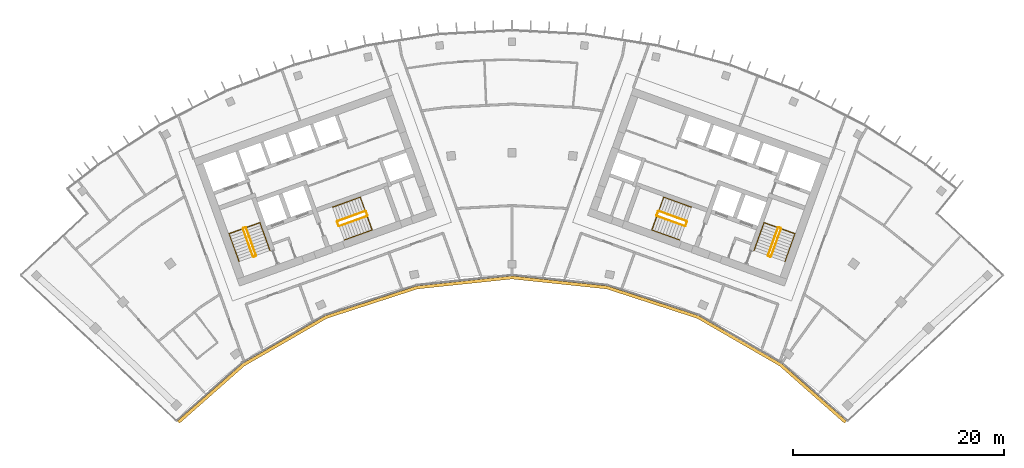
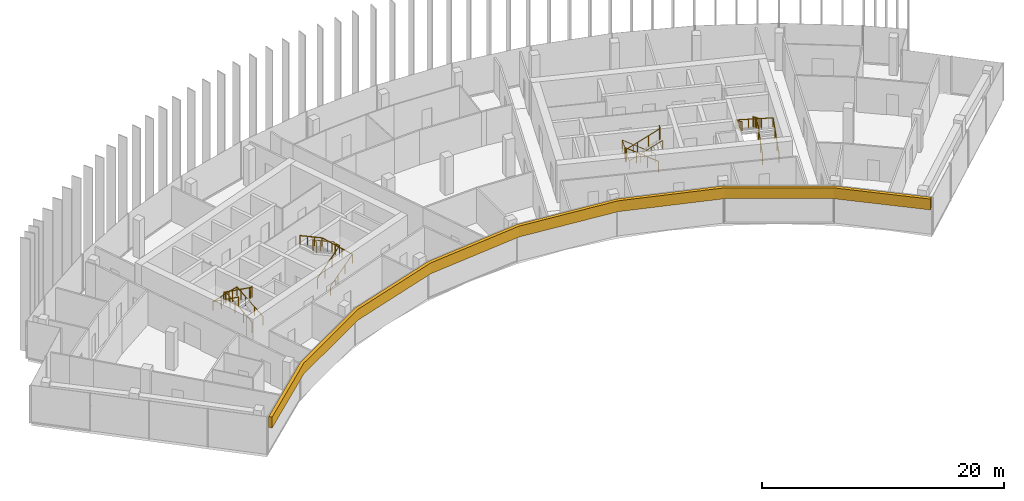
# One storey, part 18 of 18: 12 railings, 1 covering.
"""IFC4 building model written with IfcOpenShell, lengths in metres."""

from ifc_helpers import new_model, si_unit, direction, frame, origin, origin_2d, place, context, subcontext, project, spatial, polyline, circle, outline, extrude, material, layer, layer_set, type_object, element, save


model = new_model("IFC4")

# Units and contexts
model_context = context("Model", 3, precision=1e-05, world=origin(), true_north=direction((0.0, 1.0)))
body_context = subcontext(model_context, "Body", "Model", "MODEL_VIEW")
ifc_project = project(units=[si_unit("LENGTHUNIT", "METRE"), si_unit("AREAUNIT", "SQUARE_METRE"), si_unit("VOLUMEUNIT", "CUBIC_METRE"), si_unit("PLANEANGLEUNIT", "RADIAN"), si_unit("MASSUNIT", "GRAM", prefix="KILO")], contexts=[model_context])

# Site, building, storey
site_placement = place(None, origin())
site = spatial("IfcSite", under=ifc_project, at=site_placement, CompositionType="ELEMENT")
building_placement = place(site_placement, origin())
building = spatial("IfcBuilding", under=site, at=building_placement, Name="Stone Belt Terrace Tower", CompositionType="ELEMENT")
storey_placement = place(building_placement, frame((0.0, 0.0, 269.39990234375)))
storey = spatial("IfcBuildingStorey", under=building, at=storey_placement, Name="L65", CompositionType="ELEMENT", Elevation=269.39990234375)

# Railings
ifc_material_1 = material(Name="Structural steel C345", Category="steel")
railing_type_1 = type_object("IfcRailingType", Name="Stair guard 1100", PredefinedType="GUARDRAIL", material=ifc_material_1)
railing_1_placement = place(storey_placement, frame((-24.2119140625, 45.276123046875, 0.1728515625)))
element("IfcRailing", 1, at=railing_1_placement, inside=storey, type_object=railing_type_1, Name="L65 ST1A stair guard 1", PredefinedType="GUARDRAIL", context=body_context, shape_type="SweptSolid", body=[
    extrude(circle(Radius=0.02392578125, at=origin_2d()), frame((0.0, 0.0, 1.076171875), z_axis=(-0.288228637646, 0.800791768495, 0.525030280985), x_axis=(-0.940908529223, -0.338660803216, 0.0)), (0.0, 0.0, 1.0), 3.289794921875),
    extrude(circle(Radius=0.02392578125, at=origin_2d()), frame((-0.9482421875, 2.634521484375, 2.80322265625), z_axis=(-0.905209821074, 0.424964916, 0.0), x_axis=(-0.424964916, -0.905209821074, 0.0)), (0.0, 0.0, 1.0), 0.070556640625),
    extrude(circle(Radius=0.02392578125, at=origin_2d()), frame((-1.01220703125, 2.66455078125, 2.80322265625), z_axis=(-0.941105063269, -0.338114270461, 0.0), x_axis=(0.338114270461, -0.941105063269, 0.0)), (0.0, 0.0, 1.0), 0.199951171875),
    extrude(circle(Radius=0.02099609375, at=origin_2d()), origin(), (0.0, 0.0, 1.0), 1.052001953125),
    extrude(circle(Radius=0.02099609375, at=origin_2d()), frame((-0.316162109375, 0.878173828125, 0.57568359375)), (0.0, 0.0, 1.0), 1.052001953125),
    extrude(circle(Radius=0.02099609375, at=origin_2d()), frame((-0.632080078125, 1.75634765625, 1.151611328125)), (0.0, 0.0, 1.0), 1.052001953125),
    extrude(circle(Radius=0.02099609375, at=origin_2d()), frame((-0.9482421875, 2.634521484375, 1.727294921875)), (0.0, 0.0, 1.0), 1.052001953125),
    extrude(circle(Radius=0.02099609375, at=origin_2d()), frame((-1.01220703125, 2.66455078125, 1.727294921875)), (0.0, 0.0, 1.0), 1.052001953125),
    extrude(circle(Radius=0.02099609375, at=origin_2d()), frame((-1.200439453125, 2.596923828125, 1.727294921875)), (0.0, 0.0, 1.0), 1.052001953125),
])
railing_2_placement = place(storey_placement, frame((-25.4423828125, 47.80908203125, 2.07275390625)))
element("IfcRailing", 2, at=railing_2_placement, inside=storey, type_object=railing_type_1, Name="L65 ST1A stair guard 2", PredefinedType="GUARDRAIL", context=body_context, shape_type="SweptSolid", body=[
    extrude(circle(Radius=0.02392578125, at=origin_2d()), frame((0.0, 0.0, 1.076171875), z_axis=(0.288228637646, -0.800791768495, 0.525030280985), x_axis=(0.940908529223, 0.338660803216, 0.0)), (0.0, 0.0, 1.0), 3.289794921875),
    extrude(circle(Radius=0.02392578125, at=origin_2d()), frame((0.9482421875, -2.634521484375, 2.80322265625), z_axis=(0.903878284585, -0.427789722475, 0.0), x_axis=(0.427789722475, 0.903878284585, 0.0)), (0.0, 0.0, 1.0), 0.07080078125),
    extrude(circle(Radius=0.02392578125, at=origin_2d()), frame((1.01220703125, -2.664794921875, 2.80322265625), z_axis=(0.940575576748, 0.339584429008, 0.0), x_axis=(-0.339584429008, 0.940575576748, 0.0)), (0.0, 0.0, 1.0), 0.199951171875),
    extrude(circle(Radius=0.02099609375, at=origin_2d()), origin(), (0.0, 0.0, 1.0), 1.052001953125),
    extrude(circle(Radius=0.02099609375, at=origin_2d()), frame((0.316162109375, -0.878173828125, 0.57568359375)), (0.0, 0.0, 1.0), 1.052001953125),
    extrude(circle(Radius=0.02099609375, at=origin_2d()), frame((0.632080078125, -1.75634765625, 1.151611328125)), (0.0, 0.0, 1.0), 1.052001953125),
    extrude(circle(Radius=0.02099609375, at=origin_2d()), frame((0.9482421875, -2.634521484375, 1.727294921875)), (0.0, 0.0, 1.0), 1.052001953125),
    extrude(circle(Radius=0.02099609375, at=origin_2d()), frame((1.01220703125, -2.664794921875, 1.727294921875)), (0.0, 0.0, 1.0), 1.052001953125),
    extrude(circle(Radius=0.02099609375, at=origin_2d()), frame((1.2001953125, -2.596923828125, 1.727294921875)), (0.0, 0.0, 1.0), 1.052001953125),
])
railing_3_placement = place(storey_placement, frame((-16.33837890625, 48.056640625, 0.1728515625)))
element("IfcRailing", 3, at=railing_3_placement, inside=storey, type_object=railing_type_1, Name="L65 ST2A stair guard 1", PredefinedType="GUARDRAIL", context=body_context, shape_type="SweptSolid", body=[
    extrude(circle(Radius=0.02392578125, at=origin_2d()), frame((0.0, 0.0, 1.076171875), z_axis=(0.800808895155, 0.288160591223, 0.52504150989), x_axis=(-0.338583606334, 0.940936311087, 0.0)), (0.0, 0.0, 1.0), 3.289794921875),
    extrude(circle(Radius=0.02392578125, at=origin_2d()), frame((2.634521484375, 0.947998046875, 2.80322265625), z_axis=(0.427789722475, 0.903878284585, 0.0), x_axis=(-0.903878284585, 0.427789722475, 0.0)), (0.0, 0.0, 1.0), 0.07080078125),
    extrude(circle(Radius=0.02392578125, at=origin_2d()), frame((2.664794921875, 1.011962890625, 2.80322265625), z_axis=(-0.338654645739, 0.940910745459, 0.0), x_axis=(-0.940910745459, -0.338654645739, 0.0)), (0.0, 0.0, 1.0), 0.400146484375),
    extrude(circle(Radius=0.02099609375, at=origin_2d()), origin(), (0.0, 0.0, 1.0), 1.052001953125),
    extrude(circle(Radius=0.02099609375, at=origin_2d()), frame((0.878173828125, 0.31591796875, 0.57568359375)), (0.0, 0.0, 1.0), 1.052001953125),
    extrude(circle(Radius=0.02099609375, at=origin_2d()), frame((1.75634765625, 0.632080078125, 1.151611328125)), (0.0, 0.0, 1.0), 1.052001953125),
    extrude(circle(Radius=0.02099609375, at=origin_2d()), frame((2.634521484375, 0.947998046875, 1.727294921875)), (0.0, 0.0, 1.0), 1.052001953125),
    extrude(circle(Radius=0.02099609375, at=origin_2d()), frame((2.664794921875, 1.011962890625, 1.727294921875)), (0.0, 0.0, 1.0), 1.052001953125),
    extrude(circle(Radius=0.02099609375, at=origin_2d()), frame((2.529296875, 1.388427734375, 1.727294921875)), (0.0, 0.0, 1.0), 1.052001953125),
])
railing_4_placement = place(storey_placement, frame((-13.873046875, 49.47509765625, 2.07275390625)))
element("IfcRailing", 4, at=railing_4_placement, inside=storey, type_object=railing_type_1, Name="L65 ST2A stair guard 2", PredefinedType="GUARDRAIL", context=body_context, shape_type="SweptSolid", body=[
    extrude(circle(Radius=0.02392578125, at=origin_2d()), frame((0.0, 0.0, 1.076171875), z_axis=(-0.800808895155, -0.288160591223, 0.52504150989), x_axis=(0.338583606334, -0.940936311087, 0.0)), (0.0, 0.0, 1.0), 3.289794921875),
    extrude(circle(Radius=0.02392578125, at=origin_2d()), frame((-2.634521484375, -0.947998046875, 2.80322265625), z_axis=(-0.427789722475, -0.903878284585, 0.0), x_axis=(0.903878284585, -0.427789722475, 0.0)), (0.0, 0.0, 1.0), 0.07080078125),
    extrude(circle(Radius=0.02392578125, at=origin_2d()), frame((-2.664794921875, -1.011962890625, 2.80322265625), z_axis=(0.338654645739, -0.940910745459, 0.0), x_axis=(0.940910745459, 0.338654645739, 0.0)), (0.0, 0.0, 1.0), 0.400146484375),
    extrude(circle(Radius=0.02099609375, at=origin_2d()), origin(), (0.0, 0.0, 1.0), 1.052001953125),
    extrude(circle(Radius=0.02099609375, at=origin_2d()), frame((-0.878173828125, -0.31591796875, 0.57568359375)), (0.0, 0.0, 1.0), 1.052001953125),
    extrude(circle(Radius=0.02099609375, at=origin_2d()), frame((-1.75634765625, -0.632080078125, 1.151611328125)), (0.0, 0.0, 1.0), 1.052001953125),
    extrude(circle(Radius=0.02099609375, at=origin_2d()), frame((-2.634521484375, -0.947998046875, 1.727294921875)), (0.0, 0.0, 1.0), 1.052001953125),
    extrude(circle(Radius=0.02099609375, at=origin_2d()), frame((-2.664794921875, -1.011962890625, 1.727294921875)), (0.0, 0.0, 1.0), 1.052001953125),
    extrude(circle(Radius=0.02099609375, at=origin_2d()), frame((-2.529296875, -1.388427734375, 1.727294921875)), (0.0, 0.0, 1.0), 1.052001953125),
])
railing_5_placement = place(storey_placement, frame((24.494140625, 45.174560546875, 0.1728515625)))
element("IfcRailing", 5, at=railing_5_placement, inside=storey, type_object=railing_type_1, Name="L65 ST1B stair guard 1", PredefinedType="GUARDRAIL", context=body_context, shape_type="SweptSolid", body=[
    extrude(circle(Radius=0.02392578125, at=origin_2d()), frame((0.0, 0.0, 1.076171875), z_axis=(0.288228637646, 0.800791768495, 0.525030280985), x_axis=(-0.940908529223, 0.338660803216, 0.0)), (0.0, 0.0, 1.0), 3.289794921875),
    extrude(circle(Radius=0.02392578125, at=origin_2d()), frame((0.9482421875, 2.634521484375, 2.80322265625), z_axis=(-0.424964916, 0.905209821074, 0.0), x_axis=(-0.905209821074, -0.424964916, 0.0)), (0.0, 0.0, 1.0), 0.070556640625),
    extrude(circle(Radius=0.02392578125, at=origin_2d()), frame((0.918212890625, 2.698486328125, 2.80322265625), z_axis=(-0.941105063269, 0.338114270461, 0.0), x_axis=(-0.338114270461, -0.941105063269, 0.0)), (0.0, 0.0, 1.0), 0.199951171875),
    extrude(circle(Radius=0.02099609375, at=origin_2d()), origin(), (0.0, 0.0, 1.0), 1.052001953125),
    extrude(circle(Radius=0.02099609375, at=origin_2d()), frame((0.316162109375, 0.878173828125, 0.57568359375)), (0.0, 0.0, 1.0), 1.052001953125),
    extrude(circle(Radius=0.02099609375, at=origin_2d()), frame((0.632080078125, 1.75634765625, 1.151611328125)), (0.0, 0.0, 1.0), 1.052001953125),
    extrude(circle(Radius=0.02099609375, at=origin_2d()), frame((0.9482421875, 2.634521484375, 1.727294921875)), (0.0, 0.0, 1.0), 1.052001953125),
    extrude(circle(Radius=0.02099609375, at=origin_2d()), frame((0.918212890625, 2.698486328125, 1.727294921875)), (0.0, 0.0, 1.0), 1.052001953125),
    extrude(circle(Radius=0.02099609375, at=origin_2d()), frame((0.72998046875, 2.76611328125, 1.727294921875)), (0.0, 0.0, 1.0), 1.052001953125),
])
railing_6_placement = place(storey_placement, frame((25.16015625, 47.91064453125, 2.07275390625)))
element("IfcRailing", 6, at=railing_6_placement, inside=storey, type_object=railing_type_1, Name="L65 ST1B stair guard 2", PredefinedType="GUARDRAIL", context=body_context, shape_type="SweptSolid", body=[
    extrude(circle(Radius=0.02392578125, at=origin_2d()), frame((0.0, 0.0, 1.076171875), z_axis=(-0.288228637646, -0.800791768495, 0.525030280985), x_axis=(0.940908529223, -0.338660803216, 0.0)), (0.0, 0.0, 1.0), 3.289794921875),
    extrude(circle(Radius=0.02392578125, at=origin_2d()), frame((-0.9482421875, -2.634521484375, 2.80322265625), z_axis=(0.427789722475, -0.903878284585, 0.0), x_axis=(0.903878284585, 0.427789722475, 0.0)), (0.0, 0.0, 1.0), 0.07080078125),
    extrude(circle(Radius=0.02392578125, at=origin_2d()), frame((-0.91796875, -2.698486328125, 2.80322265625), z_axis=(0.940575576748, -0.339584429008, 0.0), x_axis=(0.339584429008, 0.940575576748, 0.0)), (0.0, 0.0, 1.0), 0.199951171875),
    extrude(circle(Radius=0.02099609375, at=origin_2d()), origin(), (0.0, 0.0, 1.0), 1.052001953125),
    extrude(circle(Radius=0.02099609375, at=origin_2d()), frame((-0.316162109375, -0.878173828125, 0.57568359375)), (0.0, 0.0, 1.0), 1.052001953125),
    extrude(circle(Radius=0.02099609375, at=origin_2d()), frame((-0.632080078125, -1.75634765625, 1.151611328125)), (0.0, 0.0, 1.0), 1.052001953125),
    extrude(circle(Radius=0.02099609375, at=origin_2d()), frame((-0.9482421875, -2.634521484375, 1.727294921875)), (0.0, 0.0, 1.0), 1.052001953125),
    extrude(circle(Radius=0.02099609375, at=origin_2d()), frame((-0.91796875, -2.698486328125, 1.727294921875)), (0.0, 0.0, 1.0), 1.052001953125),
    extrude(circle(Radius=0.02099609375, at=origin_2d()), frame((-0.72998046875, -2.766357421875, 1.727294921875)), (0.0, 0.0, 1.0), 1.052001953125),
])
railing_7_placement = place(storey_placement, frame((16.507568359375, 48.527099609375, 0.1728515625)))
element("IfcRailing", 7, at=railing_7_placement, inside=storey, type_object=railing_type_1, Name="L65 ST2B stair guard 1", PredefinedType="GUARDRAIL", context=body_context, shape_type="SweptSolid", body=[
    extrude(circle(Radius=0.02392578125, at=origin_2d()), frame((0.0, 0.0, 1.076171875), z_axis=(-0.800808895155, 0.288160591223, 0.52504150989), x_axis=(-0.338583606334, -0.940936311087, 0.0)), (0.0, 0.0, 1.0), 3.289794921875),
    extrude(circle(Radius=0.02392578125, at=origin_2d()), frame((-2.634521484375, 0.947998046875, 2.80322265625), z_axis=(-0.905209821074, -0.424964916, 0.0), x_axis=(0.424964916, -0.905209821074, 0.0)), (0.0, 0.0, 1.0), 0.070556640625),
    extrude(circle(Radius=0.02392578125, at=origin_2d()), frame((-2.698486328125, 0.91796875, 2.80322265625), z_axis=(-0.338654645739, -0.940910745459, 0.0), x_axis=(0.940910745459, -0.338654645739, 0.0)), (0.0, 0.0, 1.0), 0.400146484375),
    extrude(circle(Radius=0.02099609375, at=origin_2d()), origin(), (0.0, 0.0, 1.0), 1.052001953125),
    extrude(circle(Radius=0.02099609375, at=origin_2d()), frame((-0.878173828125, 0.31591796875, 0.57568359375)), (0.0, 0.0, 1.0), 1.052001953125),
    extrude(circle(Radius=0.02099609375, at=origin_2d()), frame((-1.75634765625, 0.632080078125, 1.151611328125)), (0.0, 0.0, 1.0), 1.052001953125),
    extrude(circle(Radius=0.02099609375, at=origin_2d()), frame((-2.634521484375, 0.947998046875, 1.727294921875)), (0.0, 0.0, 1.0), 1.052001953125),
    extrude(circle(Radius=0.02099609375, at=origin_2d()), frame((-2.698486328125, 0.91796875, 1.727294921875)), (0.0, 0.0, 1.0), 1.052001953125),
    extrude(circle(Radius=0.02099609375, at=origin_2d()), frame((-2.833984375, 0.54150390625, 1.727294921875)), (0.0, 0.0, 1.0), 1.052001953125),
])
railing_8_placement = place(storey_placement, frame((13.703857421875, 49.004638671875, 2.07275390625)))
element("IfcRailing", 8, at=railing_8_placement, inside=storey, type_object=railing_type_1, Name="L65 ST2B stair guard 2", PredefinedType="GUARDRAIL", context=body_context, shape_type="SweptSolid", body=[
    extrude(circle(Radius=0.02392578125, at=origin_2d()), frame((0.0, 0.0, 1.076171875), z_axis=(0.800808895155, -0.288160591223, 0.52504150989), x_axis=(0.338583606334, 0.940936311087, 0.0)), (0.0, 0.0, 1.0), 3.289794921875),
    extrude(circle(Radius=0.02392578125, at=origin_2d()), frame((2.634521484375, -0.947998046875, 2.80322265625), z_axis=(0.905209821074, 0.424964916, 0.0), x_axis=(-0.424964916, 0.905209821074, 0.0)), (0.0, 0.0, 1.0), 0.070556640625),
    extrude(circle(Radius=0.02392578125, at=origin_2d()), frame((2.698486328125, -0.91796875, 2.80322265625), z_axis=(0.338654645739, 0.940910745459, 0.0), x_axis=(-0.940910745459, 0.338654645739, 0.0)), (0.0, 0.0, 1.0), 0.400146484375),
    extrude(circle(Radius=0.02099609375, at=origin_2d()), origin(), (0.0, 0.0, 1.0), 1.052001953125),
    extrude(circle(Radius=0.02099609375, at=origin_2d()), frame((0.878173828125, -0.31591796875, 0.57568359375)), (0.0, 0.0, 1.0), 1.052001953125),
    extrude(circle(Radius=0.02099609375, at=origin_2d()), frame((1.75634765625, -0.632080078125, 1.151611328125)), (0.0, 0.0, 1.0), 1.052001953125),
    extrude(circle(Radius=0.02099609375, at=origin_2d()), frame((2.634521484375, -0.947998046875, 1.727294921875)), (0.0, 0.0, 1.0), 1.052001953125),
    extrude(circle(Radius=0.02099609375, at=origin_2d()), frame((2.698486328125, -0.91796875, 1.727294921875)), (0.0, 0.0, 1.0), 1.052001953125),
    extrude(circle(Radius=0.02099609375, at=origin_2d()), frame((2.833984375, -0.54150390625, 1.727294921875)), (0.0, 0.0, 1.0), 1.052001953125),
])
railing_type_2 = type_object("IfcRailingType", Name="Stair handrail 900", PredefinedType="HANDRAIL", material=ifc_material_1)
railing_9_placement = place(storey_placement, frame((-22.894775390625, 45.750244140625, 0.1728515625)))
element("IfcRailing", 9, at=railing_9_placement, inside=storey, type_object=railing_type_2, Name="L65 ST1A stair handrail 1", PredefinedType="HANDRAIL", context=body_context, shape_type="SweptSolid", body=[
    extrude(circle(Radius=0.02392578125, at=origin_2d()), frame((0.0, 0.0, 0.8759765625), z_axis=(-0.288160591223, 0.800808895155, 0.52504150989), x_axis=(-0.940936311087, -0.338583606334, 0.0)), (0.0, 0.0, 1.0), 3.289794921875),
    extrude(circle(Radius=0.02392578125, at=origin_2d()), frame((-0.947998046875, 2.634521484375, 2.60302734375), z_axis=(-0.939464517435, -0.338106580597, 0.055591012205), x_axis=(0.338630230244, -0.940919532779, 0.0)), (0.0, 0.0, 1.0), 3.10498046875),
    extrude(circle(Radius=0.02392578125, at=origin_2d()), frame((-3.864990234375, 1.584716796875, 2.77587890625), z_axis=(0.288228637646, -0.800791768495, 0.525030280985), x_axis=(0.940908529223, 0.338660803216, 0.0)), (0.0, 0.0, 1.0), 3.289794921875),
    extrude(circle(Radius=0.02099609375, at=origin_2d()), origin(), (0.0, 0.0, 1.0), 0.851806640625),
    extrude(circle(Radius=0.02099609375, at=origin_2d()), frame((-0.31591796875, 0.878173828125, 0.57568359375)), (0.0, 0.0, 1.0), 0.851806640625),
    extrude(circle(Radius=0.02099609375, at=origin_2d()), frame((-0.632080078125, 1.75634765625, 1.151611328125)), (0.0, 0.0, 1.0), 0.851806640625),
    extrude(circle(Radius=0.02099609375, at=origin_2d()), frame((-0.947998046875, 2.634521484375, 1.727294921875)), (0.0, 0.0, 1.0), 0.851806640625),
    extrude(circle(Radius=0.02099609375, at=origin_2d()), frame((-1.92041015625, 2.28466796875, 1.784912109375)), (0.0, 0.0, 1.0), 0.851806640625),
    extrude(circle(Radius=0.02099609375, at=origin_2d()), frame((-2.892578125, 1.9345703125, 1.84228515625)), (0.0, 0.0, 1.0), 0.851806640625),
    extrude(circle(Radius=0.02099609375, at=origin_2d()), frame((-3.864990234375, 1.584716796875, 1.89990234375)), (0.0, 0.0, 1.0), 0.851806640625),
    extrude(circle(Radius=0.02099609375, at=origin_2d()), frame((-3.548828125, 0.70654296875, 2.4755859375)), (0.0, 0.0, 1.0), 0.851806640625),
    extrude(circle(Radius=0.02099609375, at=origin_2d()), frame((-3.23291015625, -0.171630859375, 3.051513671875)), (0.0, 0.0, 1.0), 0.851806640625),
    extrude(circle(Radius=0.02099609375, at=origin_2d()), frame((-2.916748046875, -1.0498046875, 3.627197265625)), (0.0, 0.0, 1.0), 0.851806640625),
])
railing_10_placement = place(storey_placement, frame((-15.8642578125, 46.7392578125, 0.1728515625)))
element("IfcRailing", 10, at=railing_10_placement, inside=storey, type_object=railing_type_2, Name="L65 ST2A stair handrail 1", PredefinedType="HANDRAIL", context=body_context, shape_type="SweptSolid", body=[
    extrude(circle(Radius=0.02392578125, at=origin_2d()), frame((0.0, 0.0, 0.8759765625), z_axis=(0.800791768495, 0.288228637646, 0.525030280985), x_axis=(-0.338660803216, 0.940908529223, 0.0)), (0.0, 0.0, 1.0), 3.289794921875),
    extrude(circle(Radius=0.02392578125, at=origin_2d()), frame((2.634521484375, 0.9482421875, 2.60302734375), z_axis=(-0.338160254016, 0.939637778147, 0.052234935458), x_axis=(-0.940922302781, -0.338622533404, 0.0)), (0.0, 0.0, 1.0), 3.304443359375),
    extrude(circle(Radius=0.02392578125, at=origin_2d()), frame((1.51708984375, 4.05322265625, 2.77587890625), z_axis=(-0.800791768495, -0.288228637646, 0.525030280985), x_axis=(0.338660803216, -0.940908529223, 0.0)), (0.0, 0.0, 1.0), 3.289794921875),
    extrude(circle(Radius=0.02099609375, at=origin_2d()), origin(), (0.0, 0.0, 1.0), 0.851806640625),
    extrude(circle(Radius=0.02099609375, at=origin_2d()), frame((0.878173828125, 0.316162109375, 0.57568359375)), (0.0, 0.0, 1.0), 0.851806640625),
    extrude(circle(Radius=0.02099609375, at=origin_2d()), frame((1.75634765625, 0.632080078125, 1.151611328125)), (0.0, 0.0, 1.0), 0.851806640625),
    extrude(circle(Radius=0.02099609375, at=origin_2d()), frame((2.634521484375, 0.9482421875, 1.727294921875)), (0.0, 0.0, 1.0), 0.851806640625),
    extrude(circle(Radius=0.02099609375, at=origin_2d()), frame((2.261962890625, 1.983154296875, 1.784912109375)), (0.0, 0.0, 1.0), 0.851806640625),
    extrude(circle(Radius=0.02099609375, at=origin_2d()), frame((1.8896484375, 3.018310546875, 1.84228515625)), (0.0, 0.0, 1.0), 0.851806640625),
    extrude(circle(Radius=0.02099609375, at=origin_2d()), frame((1.51708984375, 4.05322265625, 1.89990234375)), (0.0, 0.0, 1.0), 0.851806640625),
    extrude(circle(Radius=0.02099609375, at=origin_2d()), frame((0.638916015625, 3.737060546875, 2.4755859375)), (0.0, 0.0, 1.0), 0.851806640625),
    extrude(circle(Radius=0.02099609375, at=origin_2d()), frame((-0.2392578125, 3.421142578125, 3.051513671875)), (0.0, 0.0, 1.0), 0.851806640625),
    extrude(circle(Radius=0.02099609375, at=origin_2d()), frame((-1.117431640625, 3.10498046875, 3.627197265625)), (0.0, 0.0, 1.0), 0.851806640625),
])
railing_11_placement = place(storey_placement, frame((25.8115234375, 44.700439453125, 0.1728515625)))
element("IfcRailing", 11, at=railing_11_placement, inside=storey, type_object=railing_type_2, Name="L65 ST1B stair handrail 1", PredefinedType="HANDRAIL", context=body_context, shape_type="SweptSolid", body=[
    extrude(circle(Radius=0.02392578125, at=origin_2d()), frame((0.0, 0.0, 0.8759765625), z_axis=(0.288228637646, 0.800791768495, 0.525030280985), x_axis=(-0.940908529223, 0.338660803216, 0.0)), (0.0, 0.0, 1.0), 3.289794921875),
    extrude(circle(Radius=0.02392578125, at=origin_2d()), frame((0.9482421875, 2.634521484375, 2.60302734375), z_axis=(-0.939464517435, 0.338106580597, 0.055591012205), x_axis=(-0.338630230244, -0.940919532779, 0.0)), (0.0, 0.0, 1.0), 3.10498046875),
    extrude(circle(Radius=0.02392578125, at=origin_2d()), frame((-1.96875, 3.684326171875, 2.77587890625), z_axis=(-0.288160591223, -0.800808895155, 0.52504150989), x_axis=(0.940936311087, -0.338583606334, 0.0)), (0.0, 0.0, 1.0), 3.289794921875),
    extrude(circle(Radius=0.02099609375, at=origin_2d()), origin(), (0.0, 0.0, 1.0), 0.851806640625),
    extrude(circle(Radius=0.02099609375, at=origin_2d()), frame((0.316162109375, 0.878173828125, 0.57568359375)), (0.0, 0.0, 1.0), 0.851806640625),
    extrude(circle(Radius=0.02099609375, at=origin_2d()), frame((0.632080078125, 1.75634765625, 1.151611328125)), (0.0, 0.0, 1.0), 0.851806640625),
    extrude(circle(Radius=0.02099609375, at=origin_2d()), frame((0.9482421875, 2.634521484375, 1.727294921875)), (0.0, 0.0, 1.0), 0.851806640625),
    extrude(circle(Radius=0.02099609375, at=origin_2d()), frame((-0.024169921875, 2.984375, 1.784912109375)), (0.0, 0.0, 1.0), 0.851806640625),
    extrude(circle(Radius=0.02099609375, at=origin_2d()), frame((-0.996337890625, 3.33447265625, 1.84228515625)), (0.0, 0.0, 1.0), 0.851806640625),
    extrude(circle(Radius=0.02099609375, at=origin_2d()), frame((-1.96875, 3.684326171875, 1.89990234375)), (0.0, 0.0, 1.0), 0.851806640625),
    extrude(circle(Radius=0.02099609375, at=origin_2d()), frame((-2.28466796875, 2.80615234375, 2.4755859375)), (0.0, 0.0, 1.0), 0.851806640625),
    extrude(circle(Radius=0.02099609375, at=origin_2d()), frame((-2.600830078125, 1.927978515625, 3.051513671875)), (0.0, 0.0, 1.0), 0.851806640625),
    extrude(circle(Radius=0.02099609375, at=origin_2d()), frame((-2.916748046875, 1.0498046875, 3.627197265625)), (0.0, 0.0, 1.0), 0.851806640625),
])
railing_12_placement = place(storey_placement, frame((16.981689453125, 49.84423828125, 0.1728515625)))
element("IfcRailing", 12, at=railing_12_placement, inside=storey, type_object=railing_type_2, Name="L65 ST2B stair handrail 1", PredefinedType="HANDRAIL", context=body_context, shape_type="SweptSolid", body=[
    extrude(circle(Radius=0.02392578125, at=origin_2d()), frame((0.0, 0.0, 0.8759765625), z_axis=(-0.800791768495, 0.288228637646, 0.525030280985), x_axis=(-0.338660803216, -0.940908529223, 0.0)), (0.0, 0.0, 1.0), 3.289794921875),
    extrude(circle(Radius=0.02392578125, at=origin_2d()), frame((-2.634521484375, 0.9482421875, 2.60302734375), z_axis=(-0.338160254016, -0.939637778147, 0.052234935458), x_axis=(0.940922302781, -0.338622533404, 0.0)), (0.0, 0.0, 1.0), 3.304443359375),
    extrude(circle(Radius=0.02392578125, at=origin_2d()), frame((-3.751953125, -2.15673828125, 2.77587890625), z_axis=(0.800791768495, -0.288228637646, 0.525030280985), x_axis=(0.338660803216, 0.940908529223, 0.0)), (0.0, 0.0, 1.0), 3.289794921875),
    extrude(circle(Radius=0.02099609375, at=origin_2d()), origin(), (0.0, 0.0, 1.0), 0.851806640625),
    extrude(circle(Radius=0.02099609375, at=origin_2d()), frame((-0.878173828125, 0.316162109375, 0.57568359375)), (0.0, 0.0, 1.0), 0.851806640625),
    extrude(circle(Radius=0.02099609375, at=origin_2d()), frame((-1.75634765625, 0.632080078125, 1.151611328125)), (0.0, 0.0, 1.0), 0.851806640625),
    extrude(circle(Radius=0.02099609375, at=origin_2d()), frame((-2.634521484375, 0.9482421875, 1.727294921875)), (0.0, 0.0, 1.0), 0.851806640625),
    extrude(circle(Radius=0.02099609375, at=origin_2d()), frame((-3.007080078125, -0.086669921875, 1.784912109375)), (0.0, 0.0, 1.0), 0.851806640625),
    extrude(circle(Radius=0.02099609375, at=origin_2d()), frame((-3.37939453125, -1.121826171875, 1.84228515625)), (0.0, 0.0, 1.0), 0.851806640625),
    extrude(circle(Radius=0.02099609375, at=origin_2d()), frame((-3.751953125, -2.15673828125, 1.89990234375)), (0.0, 0.0, 1.0), 0.851806640625),
    extrude(circle(Radius=0.02099609375, at=origin_2d()), frame((-2.873779296875, -2.472900390625, 2.4755859375)), (0.0, 0.0, 1.0), 0.851806640625),
    extrude(circle(Radius=0.02099609375, at=origin_2d()), frame((-1.99560546875, -2.788818359375, 3.051513671875)), (0.0, 0.0, 1.0), 0.851806640625),
    extrude(circle(Radius=0.02099609375, at=origin_2d()), frame((-1.117431640625, -3.10498046875, 3.627197265625)), (0.0, 0.0, 1.0), 0.851806640625),
])

# Covering
ifc_material_2 = material(Name="Terracotta coloured glazed ceramic", Category="masonry")
ifc_layer = layer(ifc_material_2, 0.300048828125)
ifc_layer_set = layer_set([ifc_layer], Name="Terracotta spandrel band 300 x 1100")
covering_type = type_object("IfcCoveringType", Name="Terracotta spandrel band 300 x 1100", PredefinedType="CLADDING", material=ifc_layer_set)
covering_placement = place(storey_placement, frame((0.0, 0.0, 2.7001953125)))
element("IfcCovering", 13, at=covering_placement, inside=storey, type_object=covering_type, Name="BAND L65", PredefinedType="CLADDING", context=body_context, shape_type="SweptSolid", body=[
    extrude(outline(polyline([(-31.651611328125, 29.6220703125), (-25.480712890625, 35.06982421875), (-17.631591796875, 39.6015625), (-9.0126953125, 42.40185546875), (0.0, 43.34912109375), (9.0126953125, 42.40185546875), (17.631591796875, 39.6015625), (25.480712890625, 35.06982421875), (31.651611328125, 29.6220703125), (31.453125, 29.39697265625), (25.3046875, 34.824951171875), (17.509033203125, 39.325927734375), (8.9501953125, 42.10693359375), (0.0, 43.047607421875), (-8.9501953125, 42.10693359375), (-17.509033203125, 39.325927734375), (-25.3046875, 34.824951171875), (-31.453125, 29.39697265625), (-31.651611328125, 29.6220703125)])), origin(), (0.0, 0.0, 1.0), 1.099853515625),
])

save(model, "model.ifc")
